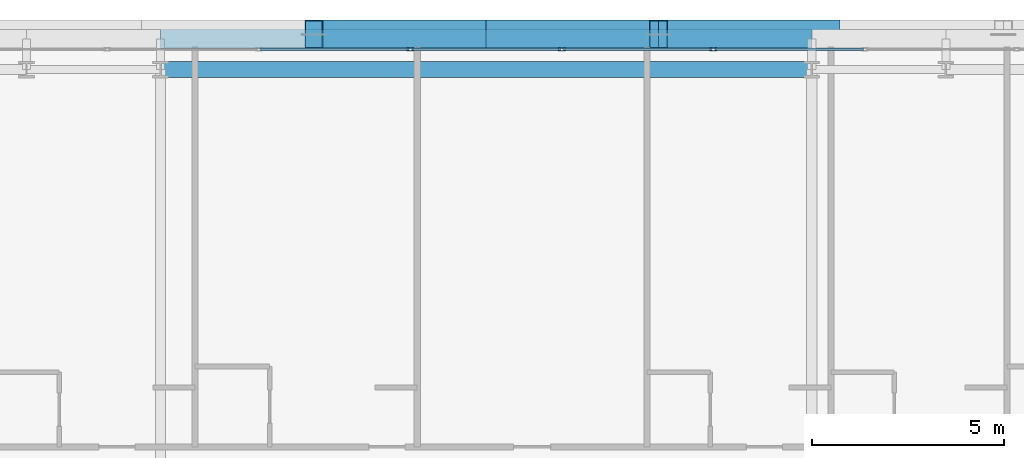
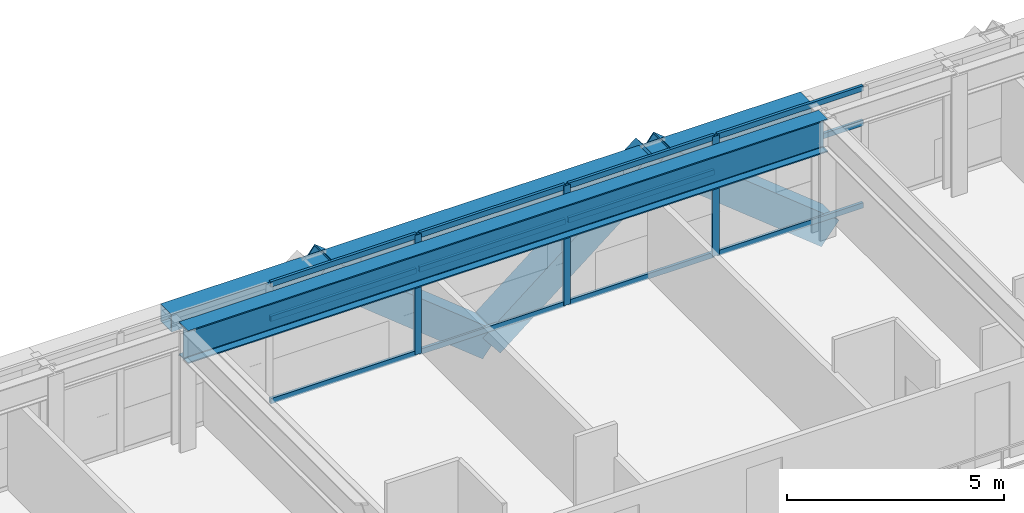
# One storey, part 22 of 39: 18 members, 2 beams, 1 element without a shape of its own.
"""IFC4 building model written with IfcOpenShell, lengths in metres."""

import ifcopenshell
import ifcopenshell.guid

model = None  # the IFC model being written
_history = None  # IfcOwnerHistory: only IFC2X3 demands one
_inside = {}  # id of a spatial element -> (the spatial element, [elements in it])
_under = {}  # id of a project, library or spatial element -> (it, [spatial elements below it])
_declared = {}  # id of a project -> (the project, [libraries it declares])
_typed = {}  # id of a type object -> (the type object, [elements of that type])
_made_of = {}  # id of a material, layer set ... -> (it, [elements and type objects made of it])


def new_model(schema):
    """Start an empty IFC model of exactly this schema.

    Asked for "IFC4X3", IfcOpenShell would pick the latest addendum, in which some entities
    have other attributes; the version numbers below select the first issue.
    IFC2X3 requires an IfcOwnerHistory on every rooted entity: one is made here for all.
    """
    global model, _history
    if schema == "IFC4X3":
        model = ifcopenshell.file(schema_version=(4, 3, 0, 0))
    else:
        model = ifcopenshell.file(schema=schema)
    _inside.clear()
    _under.clear()
    _declared.clear()
    _typed.clear()
    _made_of.clear()
    _history = None
    if model.schema == "IFC2X3":
        org = make("IfcOrganization", Name="unknown")
        user = make(
            "IfcPersonAndOrganization",
            ThePerson=make("IfcPerson", FamilyName="unknown"),
            TheOrganization=org,
        )
        app = make(
            "IfcApplication",
            ApplicationDeveloper=org,
            Version="unknown",
            ApplicationFullName="unknown",
            ApplicationIdentifier="unknown",
        )
        _history = make(
            "IfcOwnerHistory",
            OwningUser=user,
            OwningApplication=app,
            ChangeAction="ADDED",
            CreationDate=0,
        )
    return model


def make(cls, **values):
    """One entity of the class cls with the attributes given. An attribute that is None is left unset."""
    return model.create_entity(
        cls, **{name: value for name, value in values.items() if value is not None}
    )


def rooted(cls, **values):
    """An entity with a GlobalId (a new one), such as an element, a storey or a relation."""
    return make(cls, GlobalId=ifcopenshell.guid.new(), OwnerHistory=_history, **values)


def si_unit(unit_type, name, prefix=None):
    """IfcSIUnit, for example si_unit("LENGTHUNIT", "METRE", prefix="MILLI")."""
    return make("IfcSIUnit", UnitType=unit_type, Prefix=prefix, Name=name)


def assignment(units):
    """IfcUnitAssignment: the units of a project."""
    return None if units is None else make("IfcUnitAssignment", Units=units)


def point(xyz):
    """IfcCartesianPoint."""
    return None if xyz is None else make("IfcCartesianPoint", Coordinates=xyz)


def direction(xyz):
    """IfcDirection."""
    return None if xyz is None else make("IfcDirection", DirectionRatios=xyz)


def frame(location, z_axis=None, x_axis=None):
    """IfcAxis2Placement3D, a coordinate frame: its origin and axes. An axis left out is left unset."""
    return make(
        "IfcAxis2Placement3D",
        Location=point(location),
        Axis=direction(z_axis),
        RefDirection=direction(x_axis),
    )


def frame_2d(location, x_axis=None):
    """IfcAxis2Placement2D, a coordinate frame in the plane: its origin and x axis."""
    return make(
        "IfcAxis2Placement2D", Location=point(location), RefDirection=direction(x_axis)
    )


def origin():
    """The frame at (0, 0, 0) with its axes left unset."""
    return frame((0.0, 0.0, 0.0))


def origin_2d():
    """The frame at (0, 0) in the plane with its x axis left unset."""
    return frame_2d((0.0, 0.0))


def place(relative_to, where):
    """IfcLocalPlacement: puts the frame where relative to a parent placement (None: the world)."""
    return make(
        "IfcLocalPlacement", PlacementRelTo=relative_to, RelativePlacement=where
    )


def context(
    kind, dimensions, precision=None, world=None, true_north=None, identifier=None
):
    """IfcGeometricRepresentationContext, for example the 3D "Model" context."""
    return make(
        "IfcGeometricRepresentationContext",
        ContextIdentifier=identifier,
        ContextType=kind,
        CoordinateSpaceDimension=dimensions,
        Precision=precision,
        WorldCoordinateSystem=world,
        TrueNorth=true_north,
    )


def subcontext(parent, identifier, kind, view, scale=None):
    """IfcGeometricRepresentationSubContext, for example "Body" below "Model"."""
    return make(
        "IfcGeometricRepresentationSubContext",
        ContextIdentifier=identifier,
        ContextType=kind,
        ParentContext=parent,
        TargetScale=scale,
        TargetView=view,
    )


def project(units=None, contexts=None):
    """IfcProject with its units and contexts."""
    return rooted(
        "IfcProject",
        Name="project",
        RepresentationContexts=contexts,
        UnitsInContext=assignment(units),
    )


def spatial(cls, under=None, at=None, **own):
    """A site, building, storey or space (cls), placed at a placement, below another one or the project."""
    s = rooted(cls, ObjectPlacement=at, **own)
    if under is not None:
        _under.setdefault(under.id(), (under, []))[1].append(s)
    return s


def profile(cls, at=None, kind="AREA", **sizes):
    """A parametric profile (cls). Its sizes go by their IFC names, for example OverallWidth=200.0."""
    return make(cls, ProfileType=kind, Position=at, **sizes)


def hollow_rectangle(**sizes):
    """IfcRectangleHollowProfileDef."""
    return profile("IfcRectangleHollowProfileDef", **sizes)


def i_section(**sizes):
    """IfcIShapeProfileDef."""
    return profile("IfcIShapeProfileDef", **sizes)


def extrude(swept, where, along, depth):
    """IfcExtrudedAreaSolid: the profile swept, set in the frame where, extruded along a direction by depth."""
    return make(
        "IfcExtrudedAreaSolid",
        SweptArea=swept,
        Position=where,
        ExtrudedDirection=direction(along),
        Depth=depth,
    )


def shape(context_of_items, identifier, shape_type, items):
    """IfcShapeRepresentation: the items that make up one representation, for example the "Body"."""
    return make(
        "IfcShapeRepresentation",
        ContextOfItems=context_of_items,
        RepresentationIdentifier=identifier,
        RepresentationType=shape_type,
        Items=items,
    )


def source(mapping_origin, context_of_items, identifier, shape_type, items):
    """IfcRepresentationMap: a shape defined once, which mapped items show again and again."""
    return make(
        "IfcRepresentationMap",
        MappingOrigin=mapping_origin,
        MappedRepresentation=shape(context_of_items, identifier, shape_type, items),
    )


def transform(
    local_origin,
    x_axis=None,
    y_axis=None,
    z_axis=None,
    scale=None,
    scale2=None,
    scale3=None,
    uniform=True,
):
    """IfcCartesianTransformationOperator3D, or its non-uniform kind. x_axis, y_axis, z_axis: its Axis1, 2, 3."""
    if uniform:
        return make(
            "IfcCartesianTransformationOperator3D",
            Axis1=direction(x_axis),
            Axis2=direction(y_axis),
            LocalOrigin=point(local_origin),
            Scale=scale,
            Axis3=direction(z_axis),
        )
    return make(
        "IfcCartesianTransformationOperator3DnonUniform",
        Axis1=direction(x_axis),
        Axis2=direction(y_axis),
        LocalOrigin=point(local_origin),
        Scale=scale,
        Axis3=direction(z_axis),
        Scale2=scale2,
        Scale3=scale3,
    )


def mapped(mapping_source, mapping_target):
    """IfcMappedItem: shows the shape of a source again, moved by a transform."""
    return make(
        "IfcMappedItem", MappingSource=mapping_source, MappingTarget=mapping_target
    )


def material(Name=None, Category=None):
    """IfcMaterial."""
    return make("IfcMaterial", Name=Name, Category=Category)


def layer(
    of_material, thickness, ventilated=None, Name=None, Category=None, Priority=None
):
    """IfcMaterialLayer: one layer of a wall or slab, of a material (None: an air gap)."""
    return make(
        "IfcMaterialLayer",
        Material=of_material,
        LayerThickness=thickness,
        IsVentilated=ventilated,
        Name=Name,
        Category=Category,
        Priority=Priority,
    )


def layer_set(layers, Name=None):
    """IfcMaterialLayerSet."""
    return make("IfcMaterialLayerSet", MaterialLayers=layers, LayerSetName=Name)


def material_profile(
    of_material, cross_section, Name=None, Category=None, Priority=None
):
    """IfcMaterialProfile: a cross section and its material."""
    return make(
        "IfcMaterialProfile",
        Name=Name,
        Material=of_material,
        Profile=cross_section,
        Priority=Priority,
        Category=Category,
    )


def profile_set(profiles, Name=None, composite=None):
    """IfcMaterialProfileSet."""
    return make(
        "IfcMaterialProfileSet",
        Name=Name,
        MaterialProfiles=profiles,
        CompositeProfile=composite,
    )


def made_of(thing, what):
    """Note that an element or type object is made of a material, layer set ...; save() writes the relation."""
    if what is not None:
        _made_of.setdefault(what.id(), (what, []))[1].append(thing)
    return thing


def type_object(cls, material=None, **own):
    """A type object (cls), such as IfcWallType, which elements share."""
    return made_of(rooted(cls, **own), material)


def element(
    cls,
    number,
    at=None,
    inside=None,
    cuts=None,
    type_object=None,
    material=None,
    context=None,
    identifier="Body",
    shape_type=None,
    held_by="IfcProductDefinitionShape",
    body=None,
    shapes=None,
    **own,
):
    """One element of the class cls, such as IfcWall. Its Tag is "e" and its number.

    at: its placement. inside: the storey or other place that contains it. cuts: it is an
    opening in that element (IfcRelVoidsElement). A single representation is given by context,
    identifier, shape_type and body (its items); several are given by shapes. held_by: the class
    of the entity that holds the representations. save() writes the other relations.
    """
    e = rooted(cls, Tag="e%d" % number, ObjectPlacement=at, **own)
    if body is not None:
        shapes = [shape(context, identifier, shape_type, body)]
    if shapes is not None:
        e.Representation = make(held_by, Representations=shapes)
    if inside is not None:
        _inside.setdefault(inside.id(), (inside, []))[1].append(e)
    if cuts is not None:
        rooted(
            "IfcRelVoidsElement", RelatingBuildingElement=cuts, RelatedOpeningElement=e
        )
    if type_object is not None:
        _typed.setdefault(type_object.id(), (type_object, []))[1].append(e)
    return made_of(e, material)


def aggregate(whole, parts):
    """IfcRelAggregates: a whole, such as a stair, and the parts it consists of."""
    return rooted("IfcRelAggregates", RelatingObject=whole, RelatedObjects=parts)


def save(model, path):
    """Write the relations noted so far, then the file.

    IfcRelAggregates (storeys below a building ...), IfcRelContainedInSpatialStructure (elements
    in a storey), IfcRelDefinesByType, IfcRelAssociatesMaterial and IfcRelDeclares: one each for
    every whole, place, type object, material and project.
    """
    for whole, parts in _under.values():
        aggregate(whole, parts)
    for where, things in _inside.values():
        rooted(
            "IfcRelContainedInSpatialStructure",
            RelatedElements=things,
            RelatingStructure=where,
        )
    for kind, things in _typed.values():
        rooted("IfcRelDefinesByType", RelatedObjects=things, RelatingType=kind)
    for what, things in _made_of.values():
        rooted("IfcRelAssociatesMaterial", RelatedObjects=things, RelatingMaterial=what)
    for by, libraries in _declared.values():
        rooted("IfcRelDeclares", RelatingContext=by, RelatedDefinitions=libraries)
    model.write(path)


model = new_model("IFC4")

# Units and contexts
model_context = context("Model", 3, precision=1e-05, world=origin(), true_north=direction((0.0, 1.0)))
body_context = subcontext(model_context, "Body", "Model", "MODEL_VIEW")
ifc_project = project(units=[si_unit("LENGTHUNIT", "METRE"), si_unit("AREAUNIT", "SQUARE_METRE"), si_unit("VOLUMEUNIT", "CUBIC_METRE"), si_unit("PLANEANGLEUNIT", "RADIAN"), si_unit("MASSUNIT", "GRAM", prefix="KILO")], contexts=[model_context])

# Site, building, storey
site_placement = place(None, origin())
site = spatial("IfcSite", under=ifc_project, at=site_placement, CompositionType="ELEMENT")
building_placement = place(site_placement, origin())
building = spatial("IfcBuilding", under=site, at=building_placement, Name="Ocotamira Hotel", CompositionType="ELEMENT")
storey_placement = place(building_placement, frame((0.0, 0.0, 104.39990234375)))
storey = spatial("IfcBuildingStorey", under=building, at=storey_placement, Name="L25", CompositionType="ELEMENT", Elevation=104.39990234375)

# Beams
ifc_material_1 = material(Name="Steel ASTM A992 Grade 50", Category="steel")
ifc_material_profile_1 = material_profile(ifc_material_1, i_section(OverallWidth=0.41796875, OverallDepth=0.927001953125, WebThickness=0.019287109375, FlangeThickness=0.031982421875, FilletRadius=0.02392578125, at=origin_2d()), Name="W36X231")
ifc_profile_set_1 = profile_set([ifc_material_profile_1], Name="Steel ASTM A992 Grade 50")
beam_type_1 = type_object("IfcBeamType", Name="BM-GIRD-W36X231", PredefinedType="BEAM", material=ifc_profile_set_1)
shared_shape_1 = source(origin(), body_context, "Body", "SweptSolid", [
    extrude(i_section(OverallWidth=0.41796875, OverallDepth=0.927001953125, WebThickness=0.019287109375, FlangeThickness=0.031982421875, FilletRadius=0.02392578125, at=origin_2d()), origin(), (0.0, 0.0, 1.0), 17.0),
])
beam_1_placement = place(storey_placement, frame((23.5, 49.050048828125, 2.896484375), z_axis=(1.0, 0.0, 0.0), x_axis=(0.0, 1.0, 0.0)))
element("IfcBeam", 1, at=beam_1_placement, inside=storey, type_object=beam_type_1, Name="L25 Girder Y49.05 X23.5-40.5", PredefinedType="BEAM", context=body_context, shape_type="MappedRepresentation", body=[
    mapped(shared_shape_1, transform((0.0, 0.0, 0.0), scale=1.0)),
])
ifc_material_2 = material(Name="Steel ASTM A500 Grade C", Category="steel")
ifc_material_profile_2 = material_profile(ifc_material_2, hollow_rectangle(XDim=0.5, YDim=0.5, WallThickness=0.02001953125, at=origin_2d()), Name="HSS500X500X20")
ifc_profile_set_2 = profile_set([ifc_material_profile_2], Name="Steel ASTM A500 Grade C")
beam_type_2 = type_object("IfcBeamType", Name="BM-SPAN-HSS500", PredefinedType="USERDEFINED", material=ifc_profile_set_2)
shared_shape_2 = source(origin(), body_context, "Body", "SweptSolid", [
    extrude(hollow_rectangle(XDim=0.5, YDim=0.5, WallThickness=0.02001953125, at=origin_2d()), origin(), (0.0, 0.0, 1.0), 17.0),
])
beam_2_placement = place(storey_placement, frame((23.5, 49.85009765625, 3.110107421875), z_axis=(1.0, 0.0, 0.0), x_axis=(0.0, 1.0, 0.0)))
element("IfcBeam", 2, at=beam_2_placement, inside=storey, type_object=beam_type_2, Name="L25 Edge Spandrel N X23.5-40.5", ObjectType="SPANDREL", PredefinedType="USERDEFINED", context=body_context, shape_type="MappedRepresentation", body=[
    mapped(shared_shape_2, transform((0.0, 0.0, 0.0), scale=1.0)),
])

# Members
ifc_material_3 = material(Name="Pale-metal coated steel ASTM A913 Grade 65", Category="steel")
ifc_material_profile_3 = material_profile(ifc_material_3, hollow_rectangle(XDim=0.75, YDim=0.75, WallThickness=0.028076171875, at=origin_2d()), Name="BOX750X750X28")
ifc_profile_set_3 = profile_set([ifc_material_profile_3], Name="Pale-metal coated steel ASTM A913 Grade 65")
member_type_1 = type_object("IfcMemberType", Name="MEM-EXO-BOX750", PredefinedType="BRACE", material=ifc_profile_set_3)
shared_shape_3 = source(origin(), body_context, "Body", "SweptSolid", [
    extrude(hollow_rectangle(XDim=0.75, YDim=0.75, WallThickness=0.028076171875, at=origin_2d()), origin(), (0.0, 0.0, 1.0), 5.762939453125),
])
for number, where, z_axis, x_axis, name in (
    (3, (32.0, 49.969970703125, -0.489990234375), (-0.780860543151, 0.0, 0.624705380279), (0.0, -1.0, 0.0), "L25 Exoskeleton Diagrid N1.2"),
    (4, (32.0, 49.969970703125, -0.489990234375), (0.780860543151, 0.0, 0.624705380279), (0.0, 1.0, 0.0), "L25 Exoskeleton Diagrid N2.1"),
    (5, (41.0, 49.969970703125, -0.489990234375), (-0.780860543151, 0.0, 0.624705380279), (0.0, -1.0, 0.0), "L25 Exoskeleton Diagrid N2.2"),
):
    element("IfcMember", number, at=place(storey_placement, frame(where, z_axis=z_axis, x_axis=x_axis)), inside=storey, type_object=member_type_1, Name=name, PredefinedType="BRACE", context=body_context, shape_type="MappedRepresentation", body=[
        mapped(shared_shape_3, transform((0.0, 0.0, 0.0), scale=1.0)),
    ])

# Curtain wall, members
ifc_material_4 = material(Name="Anodised pale-metal aluminium and solar glass", Category="aluminium")
ifc_layer = layer(ifc_material_4, 0.179931640625)
ifc_layer_set = layer_set([ifc_layer], Name="Anodised pale-metal aluminium and solar glass")
curtain_wall_type = type_object("IfcCurtainWallType", Name="CW-SYS3-Z2", PredefinedType="NOTDEFINED", material=ifc_layer_set)
curtain_wall_placement = place(storey_placement, origin())
curtain_wall = element("IfcCurtainWall", 6, at=curtain_wall_placement, inside=storey, type_object=curtain_wall_type, Name="L25 Curtain Wall CW-3 CW-L25-N", PredefinedType="NOTDEFINED")
ifc_material_5 = material(Name="Anodised pale-metal aluminium 6063-T6", Category="aluminium")
ifc_material_profile_4 = material_profile(ifc_material_5, hollow_rectangle(XDim=0.074951171875, YDim=0.14990234375, WallThickness=0.006103515625, at=origin_2d()), Name="HSS150X75X6")
ifc_profile_set_4 = profile_set([ifc_material_profile_4], Name="Anodised pale-metal aluminium 6063-T6")
member_type_2 = type_object("IfcMemberType", Name="CWT-150X75", PredefinedType="USERDEFINED", material=ifc_profile_set_4)
shared_shape_4 = source(origin(), body_context, "Body", "SweptSolid", [
    extrude(hollow_rectangle(XDim=0.074951171875, YDim=0.14990234375, WallThickness=0.006103515625, at=origin_2d()), origin(), (0.0, 0.0, 1.0), 3.87548828125),
])
member_1_placement = place(storey_placement, frame((26.106689453125, 49.580078125, 0.03759765625), z_axis=(1.0, 0.0, 0.0), x_axis=(0.0, 1.0, 0.0)))
member_1 = element("IfcMember", 7, at=member_1_placement, type_object=member_type_2, Name="CW-3 transom 4.1", ObjectType="TRANSOM", PredefinedType="USERDEFINED", context=body_context, shape_type="MappedRepresentation", body=[
    mapped(shared_shape_4, transform((0.0, 0.0, 0.0), scale=1.0)),
])
member_2_placement = place(storey_placement, frame((26.106689453125, 49.580078125, 2.35009765625), z_axis=(1.0, 0.0, 0.0), x_axis=(0.0, 1.0, 0.0)))
member_2 = element("IfcMember", 8, at=member_2_placement, type_object=member_type_2, Name="CW-3 transom 4.2", ObjectType="TRANSOM", PredefinedType="USERDEFINED", context=body_context, shape_type="MappedRepresentation", body=[
    mapped(shared_shape_4, transform((0.0, 0.0, 0.0), scale=1.0)),
])
member_3_placement = place(storey_placement, frame((26.106689453125, 49.580078125, 3.322509765625), z_axis=(1.0, 0.0, 0.0), x_axis=(0.0, 1.0, 0.0)))
member_3 = element("IfcMember", 9, at=member_3_placement, type_object=member_type_2, Name="CW-3 transom 4.3", ObjectType="TRANSOM", PredefinedType="USERDEFINED", context=body_context, shape_type="MappedRepresentation", body=[
    mapped(shared_shape_4, transform((0.0, 0.0, 0.0), scale=1.0)),
])
member_4_placement = place(storey_placement, frame((30.062255859375, 49.580078125, 0.03759765625), z_axis=(1.0, 0.0, 0.0), x_axis=(0.0, 1.0, 0.0)))
member_4 = element("IfcMember", 10, at=member_4_placement, type_object=member_type_2, Name="CW-3 transom 5.1", ObjectType="TRANSOM", PredefinedType="USERDEFINED", context=body_context, shape_type="MappedRepresentation", body=[
    mapped(shared_shape_4, transform((0.0, 0.0, 0.0), scale=1.0)),
])
member_5_placement = place(storey_placement, frame((30.062255859375, 49.580078125, 2.35009765625), z_axis=(1.0, 0.0, 0.0), x_axis=(0.0, 1.0, 0.0)))
member_5 = element("IfcMember", 11, at=member_5_placement, type_object=member_type_2, Name="CW-3 transom 5.2", ObjectType="TRANSOM", PredefinedType="USERDEFINED", context=body_context, shape_type="MappedRepresentation", body=[
    mapped(shared_shape_4, transform((0.0, 0.0, 0.0), scale=1.0)),
])
member_6_placement = place(storey_placement, frame((30.062255859375, 49.580078125, 3.322509765625), z_axis=(1.0, 0.0, 0.0), x_axis=(0.0, 1.0, 0.0)))
member_6 = element("IfcMember", 12, at=member_6_placement, type_object=member_type_2, Name="CW-3 transom 5.3", ObjectType="TRANSOM", PredefinedType="USERDEFINED", context=body_context, shape_type="MappedRepresentation", body=[
    mapped(shared_shape_4, transform((0.0, 0.0, 0.0), scale=1.0)),
])
member_7_placement = place(storey_placement, frame((34.017822265625, 49.580078125, 0.03759765625), z_axis=(1.0, 0.0, 0.0), x_axis=(0.0, 1.0, 0.0)))
member_7 = element("IfcMember", 13, at=member_7_placement, type_object=member_type_2, Name="CW-3 transom 6.1", ObjectType="TRANSOM", PredefinedType="USERDEFINED", context=body_context, shape_type="MappedRepresentation", body=[
    mapped(shared_shape_4, transform((0.0, 0.0, 0.0), scale=1.0)),
])
member_8_placement = place(storey_placement, frame((34.017822265625, 49.580078125, 2.35009765625), z_axis=(1.0, 0.0, 0.0), x_axis=(0.0, 1.0, 0.0)))
member_8 = element("IfcMember", 14, at=member_8_placement, type_object=member_type_2, Name="CW-3 transom 6.2", ObjectType="TRANSOM", PredefinedType="USERDEFINED", context=body_context, shape_type="MappedRepresentation", body=[
    mapped(shared_shape_4, transform((0.0, 0.0, 0.0), scale=1.0)),
])
member_9_placement = place(storey_placement, frame((34.017822265625, 49.580078125, 3.322509765625), z_axis=(1.0, 0.0, 0.0), x_axis=(0.0, 1.0, 0.0)))
member_9 = element("IfcMember", 15, at=member_9_placement, type_object=member_type_2, Name="CW-3 transom 6.3", ObjectType="TRANSOM", PredefinedType="USERDEFINED", context=body_context, shape_type="MappedRepresentation", body=[
    mapped(shared_shape_4, transform((0.0, 0.0, 0.0), scale=1.0)),
])
member_10_placement = place(storey_placement, frame((37.973388671875, 49.580078125, 0.03759765625), z_axis=(1.0, 0.0, 0.0), x_axis=(0.0, 1.0, 0.0)))
member_10 = element("IfcMember", 16, at=member_10_placement, type_object=member_type_2, Name="CW-3 transom 7.1", ObjectType="TRANSOM", PredefinedType="USERDEFINED", context=body_context, shape_type="MappedRepresentation", body=[
    mapped(shared_shape_4, transform((0.0, 0.0, 0.0), scale=1.0)),
])
member_11_placement = place(storey_placement, frame((37.973388671875, 49.580078125, 2.35009765625), z_axis=(1.0, 0.0, 0.0), x_axis=(0.0, 1.0, 0.0)))
member_11 = element("IfcMember", 17, at=member_11_placement, type_object=member_type_2, Name="CW-3 transom 7.2", ObjectType="TRANSOM", PredefinedType="USERDEFINED", context=body_context, shape_type="MappedRepresentation", body=[
    mapped(shared_shape_4, transform((0.0, 0.0, 0.0), scale=1.0)),
])
member_12_placement = place(storey_placement, frame((37.973388671875, 49.580078125, 3.322509765625), z_axis=(1.0, 0.0, 0.0), x_axis=(0.0, 1.0, 0.0)))
member_12 = element("IfcMember", 18, at=member_12_placement, type_object=member_type_2, Name="CW-3 transom 7.3", ObjectType="TRANSOM", PredefinedType="USERDEFINED", context=body_context, shape_type="MappedRepresentation", body=[
    mapped(shared_shape_4, transform((0.0, 0.0, 0.0), scale=1.0)),
])
ifc_material_profile_5 = material_profile(ifc_material_5, hollow_rectangle(XDim=0.080078125, YDim=0.179931640625, WallThickness=0.006103515625, at=origin_2d()), Name="HSS180X80X6")
ifc_profile_set_5 = profile_set([ifc_material_profile_5], Name="Anodised pale-metal aluminium 6063-T6")
member_type_3 = type_object("IfcMemberType", Name="CWM-180X75", PredefinedType="MULLION", material=ifc_profile_set_5)
shared_shape_5 = source(origin(), body_context, "Body", "SweptSolid", [
    extrude(hollow_rectangle(XDim=0.080078125, YDim=0.179931640625, WallThickness=0.006103515625, at=origin_2d()), origin(), (0.0, 0.0, 1.0), 3.360107421875),
])
member_13_placement = place(storey_placement, frame((30.022216796875, 49.580078125, 0.0), z_axis=(0.0, 0.0, 1.0), x_axis=(0.0, 1.0, 0.0)))
member_13 = element("IfcMember", 19, at=member_13_placement, type_object=member_type_3, Name="CW-3 mullion 5", PredefinedType="MULLION", context=body_context, shape_type="MappedRepresentation", body=[
    mapped(shared_shape_5, transform((0.0, 0.0, 0.0), scale=1.0)),
])
member_14_placement = place(storey_placement, frame((33.977783203125, 49.580078125, 0.0), z_axis=(0.0, 0.0, 1.0), x_axis=(0.0, 1.0, 0.0)))
member_14 = element("IfcMember", 20, at=member_14_placement, type_object=member_type_3, Name="CW-3 mullion 6", PredefinedType="MULLION", context=body_context, shape_type="MappedRepresentation", body=[
    mapped(shared_shape_5, transform((0.0, 0.0, 0.0), scale=1.0)),
])
member_15_placement = place(storey_placement, frame((37.933349609375, 49.580078125, 0.0), z_axis=(0.0, 0.0, 1.0), x_axis=(0.0, 1.0, 0.0)))
member_15 = element("IfcMember", 21, at=member_15_placement, type_object=member_type_3, Name="CW-3 mullion 7", PredefinedType="MULLION", context=body_context, shape_type="MappedRepresentation", body=[
    mapped(shared_shape_5, transform((0.0, 0.0, 0.0), scale=1.0)),
])
aggregate(curtain_wall, [member_13, member_14, member_15, member_1, member_2, member_3, member_4, member_5, member_6, member_7, member_8, member_9, member_10, member_11, member_12])

save(model, "model.ifc")
